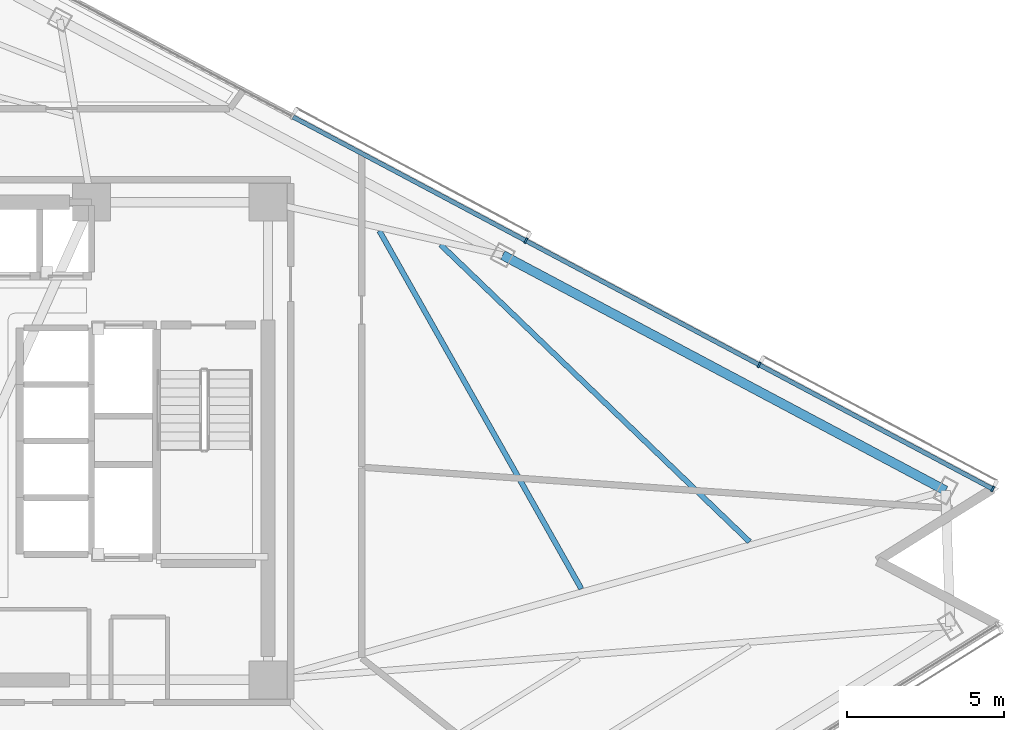
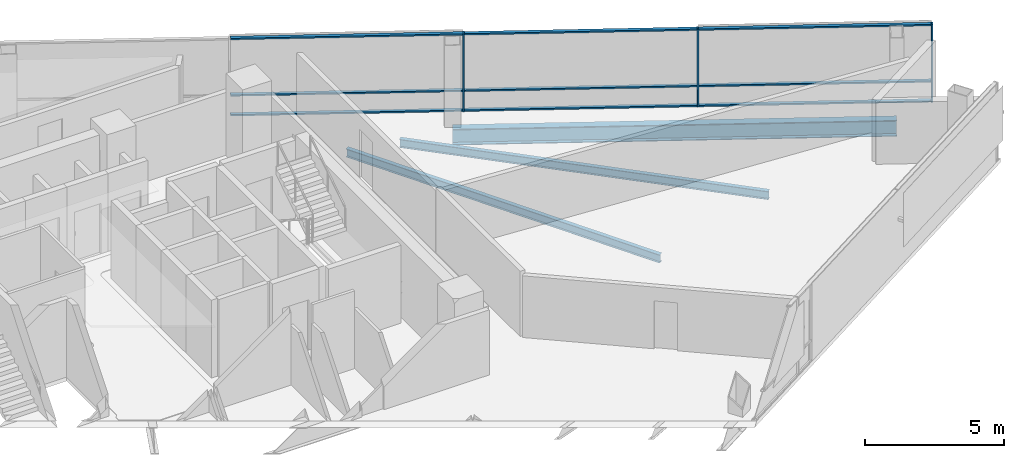
# One storey, part 10 of 21: 12 members, 3 beams, 1 element without a shape of its own.
"""IFC4 building model written with IfcOpenShell, lengths in metres."""

from ifc_helpers import new_model, si_unit, direction, frame, origin, origin_2d, place, context, subcontext, project, spatial, rectangle, i_section, extrude, material, layer, layer_set, material_profile, profile_set, type_object, element, aggregate, save


model = new_model("IFC4")

# Units and contexts
model_context = context("Model", 3, precision=1e-05, world=origin(), true_north=direction((0.0, 1.0)))
body_context = subcontext(model_context, "Body", "Model", "MODEL_VIEW")
ifc_project = project(units=[si_unit("LENGTHUNIT", "METRE"), si_unit("AREAUNIT", "SQUARE_METRE"), si_unit("VOLUMEUNIT", "CUBIC_METRE"), si_unit("PLANEANGLEUNIT", "RADIAN"), si_unit("MASSUNIT", "GRAM", prefix="KILO")], contexts=[model_context])

# Site, building, storey
site_placement = place(None, origin())
site = spatial("IfcSite", under=ifc_project, at=site_placement, CompositionType="ELEMENT")
building_placement = place(site_placement, origin())
building = spatial("IfcBuilding", under=site, at=building_placement, Name="Tharavind Bronze Gate", CompositionType="ELEMENT")
storey_placement = place(building_placement, frame((0.0, 0.0, 142.39990234375)))
storey = spatial("IfcBuildingStorey", under=building, at=storey_placement, Name="L36", CompositionType="ELEMENT", Elevation=142.39990234375)

# Curtain wall, members
ifc_material_1 = material(Name="Anodised Bronze Aluminium", Category="aluminium")
ifc_layer = layer(ifc_material_1, 0.219970703125)
ifc_layer_set = layer_set([ifc_layer], Name="Anodised Bronze Aluminium")
curtain_wall_type = type_object("IfcCurtainWallType", Name="UNITISED CURTAIN WALL MID OFFICE", PredefinedType="USERDEFINED", material=ifc_layer_set)
curtain_wall_placement = place(storey_placement, origin())
curtain_wall = element("IfcCurtainWall", 1, at=curtain_wall_placement, inside=storey, type_object=curtain_wall_type, Name="L36 unitised curtain wall mid office CW-L36-S3", ObjectType="UNITISED CURTAIN WALL", PredefinedType="USERDEFINED")
member_type_1 = type_object("IfcMemberType", Name="CURTAIN WALL BRONZE MULLION 65X180", PredefinedType="MULLION", material=ifc_material_1)
member_1_placement = place(storey_placement, frame((31.9638671875, -1.5224609375, 0.0), z_axis=(0.0, 0.0, 1.0), x_axis=(-0.882947592859, 0.469471562786, 0.0)))
member_1 = element("IfcMember", 2, at=member_1_placement, type_object=member_type_1, Name="CW-L36-S3 mullion 1", PredefinedType="MULLION", context=body_context, shape_type="SweptSolid", body=[
    extrude(rectangle(XDim=0.06494140625, YDim=0.179931640625, at=origin_2d()), origin(), (0.0, 0.0, 1.0), 3.409912109375),
])
member_2_placement = place(storey_placement, frame((24.5341796875, 2.427978515625, 0.0), z_axis=(0.0, 0.0, 1.0), x_axis=(-0.882947592859, 0.469471562786, 0.0)))
member_2 = element("IfcMember", 3, at=member_2_placement, type_object=member_type_1, Name="CW-L36-S3 mullion 2", PredefinedType="MULLION", context=body_context, shape_type="SweptSolid", body=[
    extrude(rectangle(XDim=0.06494140625, YDim=0.179931640625, at=origin_2d()), origin(), (0.0, 0.0, 1.0), 3.409912109375),
])
member_3_placement = place(storey_placement, frame((17.1044921875, 6.37841796875, 0.0), z_axis=(0.0, 0.0, 1.0), x_axis=(-0.882947592859, 0.469471562786, 0.0)))
member_3 = element("IfcMember", 4, at=member_3_placement, type_object=member_type_1, Name="CW-L36-S3 mullion 3", PredefinedType="MULLION", context=body_context, shape_type="SweptSolid", body=[
    extrude(rectangle(XDim=0.06494140625, YDim=0.179931640625, at=origin_2d()), origin(), (0.0, 0.0, 1.0), 3.409912109375),
])
member_type_2 = type_object("IfcMemberType", Name="CURTAIN WALL BRONZE TRANSOM 65X140", PredefinedType="USERDEFINED", material=ifc_material_1)
member_4_placement = place(storey_placement, frame((28.2490234375, 0.45263671875, 0.000244140625), z_axis=(0.0, 0.0, 1.0), x_axis=(-0.882947592859, 0.469471562786, 0.0)))
member_4 = element("IfcMember", 5, at=member_4_placement, type_object=member_type_2, Name="CW-L36-S3 transom TB1", ObjectType="TRANSOM", PredefinedType="USERDEFINED", context=body_context, shape_type="SweptSolid", body=[
    extrude(rectangle(XDim=8.361572265625, YDim=0.139892578125, at=origin_2d()), origin(), (0.0, 0.0, 1.0), 0.06494140625),
])
member_5_placement = place(storey_placement, frame((28.2490234375, 0.45263671875, 0.86767578125), z_axis=(0.0, 0.0, 1.0), x_axis=(-0.882947592859, 0.469471562786, 0.0)))
member_5 = element("IfcMember", 6, at=member_5_placement, type_object=member_type_2, Name="CW-L36-S3 transom TS1", ObjectType="TRANSOM", PredefinedType="USERDEFINED", context=body_context, shape_type="SweptSolid", body=[
    extrude(rectangle(XDim=8.361572265625, YDim=0.139892578125, at=origin_2d()), origin(), (0.0, 0.0, 1.0), 0.06494140625),
])
member_6_placement = place(storey_placement, frame((28.2490234375, 0.45263671875, 3.34521484375), z_axis=(0.0, 0.0, 1.0), x_axis=(-0.882947592859, 0.469471562786, 0.0)))
member_6 = element("IfcMember", 7, at=member_6_placement, type_object=member_type_2, Name="CW-L36-S3 transom TT1", ObjectType="TRANSOM", PredefinedType="USERDEFINED", context=body_context, shape_type="SweptSolid", body=[
    extrude(rectangle(XDim=8.361572265625, YDim=0.139892578125, at=origin_2d()), origin(), (0.0, 0.0, 1.0), 0.06494140625),
])
member_7_placement = place(storey_placement, frame((20.8193359375, 4.403076171875, 0.000244140625), z_axis=(0.0, 0.0, 1.0), x_axis=(-0.882947592859, 0.469471562786, 0.0)))
member_7 = element("IfcMember", 8, at=member_7_placement, type_object=member_type_2, Name="CW-L36-S3 transom TB2", ObjectType="TRANSOM", PredefinedType="USERDEFINED", context=body_context, shape_type="SweptSolid", body=[
    extrude(rectangle(XDim=8.361572265625, YDim=0.139892578125, at=origin_2d()), origin(), (0.0, 0.0, 1.0), 0.06494140625),
])
member_8_placement = place(storey_placement, frame((20.8193359375, 4.403076171875, 0.86767578125), z_axis=(0.0, 0.0, 1.0), x_axis=(-0.882947592859, 0.469471562786, 0.0)))
member_8 = element("IfcMember", 9, at=member_8_placement, type_object=member_type_2, Name="CW-L36-S3 transom TS2", ObjectType="TRANSOM", PredefinedType="USERDEFINED", context=body_context, shape_type="SweptSolid", body=[
    extrude(rectangle(XDim=8.361572265625, YDim=0.139892578125, at=origin_2d()), origin(), (0.0, 0.0, 1.0), 0.06494140625),
])
member_9_placement = place(storey_placement, frame((20.8193359375, 4.403076171875, 3.34521484375), z_axis=(0.0, 0.0, 1.0), x_axis=(-0.882947592859, 0.469471562786, 0.0)))
member_9 = element("IfcMember", 10, at=member_9_placement, type_object=member_type_2, Name="CW-L36-S3 transom TT2", ObjectType="TRANSOM", PredefinedType="USERDEFINED", context=body_context, shape_type="SweptSolid", body=[
    extrude(rectangle(XDim=8.361572265625, YDim=0.139892578125, at=origin_2d()), origin(), (0.0, 0.0, 1.0), 0.06494140625),
])
member_10_placement = place(storey_placement, frame((13.389892578125, 8.353515625, 0.000244140625), z_axis=(0.0, 0.0, 1.0), x_axis=(-0.882947592859, 0.469471562786, 0.0)))
member_10 = element("IfcMember", 11, at=member_10_placement, type_object=member_type_2, Name="CW-L36-S3 transom TB3", ObjectType="TRANSOM", PredefinedType="USERDEFINED", context=body_context, shape_type="SweptSolid", body=[
    extrude(rectangle(XDim=8.361572265625, YDim=0.139892578125, at=origin_2d()), origin(), (0.0, 0.0, 1.0), 0.06494140625),
])
member_11_placement = place(storey_placement, frame((13.389892578125, 8.353515625, 0.86767578125), z_axis=(0.0, 0.0, 1.0), x_axis=(-0.882947592859, 0.469471562786, 0.0)))
member_11 = element("IfcMember", 12, at=member_11_placement, type_object=member_type_2, Name="CW-L36-S3 transom TS3", ObjectType="TRANSOM", PredefinedType="USERDEFINED", context=body_context, shape_type="SweptSolid", body=[
    extrude(rectangle(XDim=8.361572265625, YDim=0.139892578125, at=origin_2d()), origin(), (0.0, 0.0, 1.0), 0.06494140625),
])
member_12_placement = place(storey_placement, frame((13.389892578125, 8.353515625, 3.34521484375), z_axis=(0.0, 0.0, 1.0), x_axis=(-0.882947592859, 0.469471562786, 0.0)))
member_12 = element("IfcMember", 13, at=member_12_placement, type_object=member_type_2, Name="CW-L36-S3 transom TT3", ObjectType="TRANSOM", PredefinedType="USERDEFINED", context=body_context, shape_type="SweptSolid", body=[
    extrude(rectangle(XDim=8.361572265625, YDim=0.139892578125, at=origin_2d()), origin(), (0.0, 0.0, 1.0), 0.06494140625),
])
aggregate(curtain_wall, [member_1, member_2, member_3, member_4, member_5, member_6, member_7, member_8, member_9, member_10, member_11, member_12])

# Beams
ifc_material_2 = material(Name="Steel S355", Category="steel")
ifc_material_profile_1 = material_profile(ifc_material_2, i_section(OverallWidth=0.300048828125, OverallDepth=0.699951171875, WebThickness=0.01708984375, FlangeThickness=0.031982421875, at=origin_2d()), Name="HE700B")
ifc_profile_set_1 = profile_set([ifc_material_profile_1], Name="Steel S355")
beam_type_1 = type_object("IfcBeamType", Name="RING GIRDER HE700B", PredefinedType="USERDEFINED", material=ifc_profile_set_1)
beam_1_placement = place(storey_placement, frame((30.46484375, -1.57470703125, -0.539794921875), z_axis=(-0.882951706672, 0.469463825747, 0.0), x_axis=(-0.469463825747, -0.882951706672, 0.0)))
element("IfcBeam", 14, at=beam_1_placement, inside=storey, type_object=beam_type_1, Name="L36 ring girder he700b BM-L36-PRG09", ObjectType="GIRDER", PredefinedType="USERDEFINED", context=body_context, shape_type="SweptSolid", body=[
    extrude(i_section(OverallWidth=0.300048828125, OverallDepth=0.699951171875, WebThickness=0.01708984375, FlangeThickness=0.031982421875, at=origin_2d()), origin(), (0.0, 0.0, 1.0), 15.963134765625),
])
ifc_material_profile_2 = material_profile(ifc_material_2, i_section(OverallWidth=0.169921875, OverallDepth=0.360107421875, WebThickness=0.008056640625, FlangeThickness=0.0126953125, at=origin_2d()), Name="IPE360")
ifc_profile_set_2 = profile_set([ifc_material_profile_2], Name="Steel S355")
beam_type_2 = type_object("IfcBeamType", Name="SECONDARY FLOOR JOIST IPE360", PredefinedType="JOIST", material=ifc_profile_set_2)
beam_2_placement = place(storey_placement, frame((18.87255859375, -4.70068359375, -0.369873046875), z_axis=(-0.491359669612, 0.870956758444, 0.0), x_axis=(-0.870956758444, -0.491359669612, 0.0)))
element("IfcBeam", 15, at=beam_2_placement, inside=storey, type_object=beam_type_2, Name="L36 secondary floor joist ipe360 BM-L36-JSTA09", PredefinedType="JOIST", context=body_context, shape_type="SweptSolid", body=[
    extrude(i_section(OverallWidth=0.169921875, OverallDepth=0.360107421875, WebThickness=0.008056640625, FlangeThickness=0.0126953125, at=origin_2d()), origin(), (0.0, 0.0, 1.0), 13.08056640625),
])
beam_3_placement = place(storey_placement, frame((24.22802734375, -3.20458984375, -0.369873046875), z_axis=(-0.720825502564, 0.693116580997, 0.0), x_axis=(-0.693116580997, -0.720825502564, 0.0)))
element("IfcBeam", 16, at=beam_3_placement, inside=storey, type_object=beam_type_2, Name="L36 secondary floor joist ipe360 BM-L36-JSTB09", PredefinedType="JOIST", context=body_context, shape_type="SweptSolid", body=[
    extrude(i_section(OverallWidth=0.169921875, OverallDepth=0.360107421875, WebThickness=0.008056640625, FlangeThickness=0.0126953125, at=origin_2d()), origin(), (0.0, 0.0, 1.0), 13.648193359375),
])

save(model, "model.ifc")
